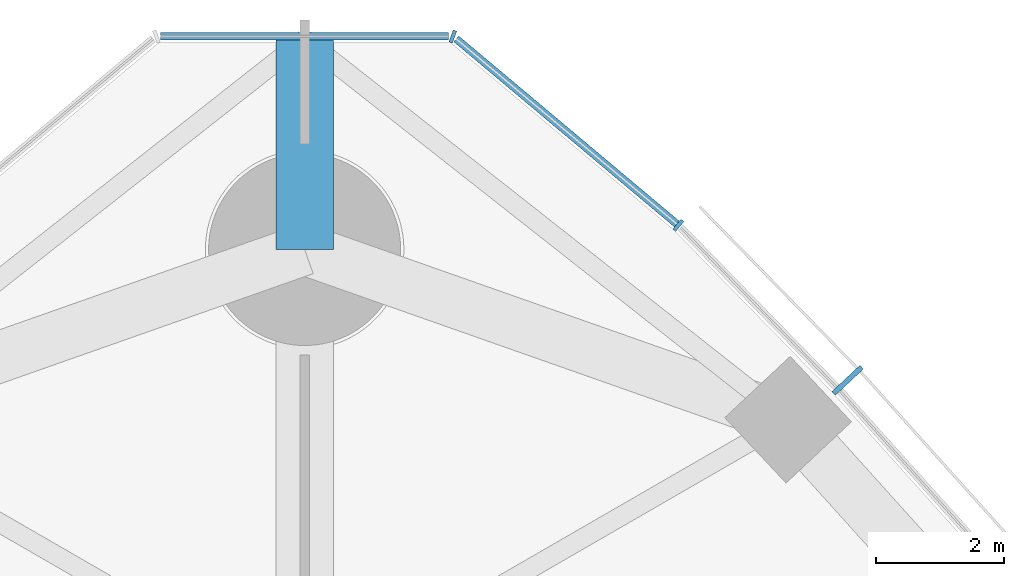
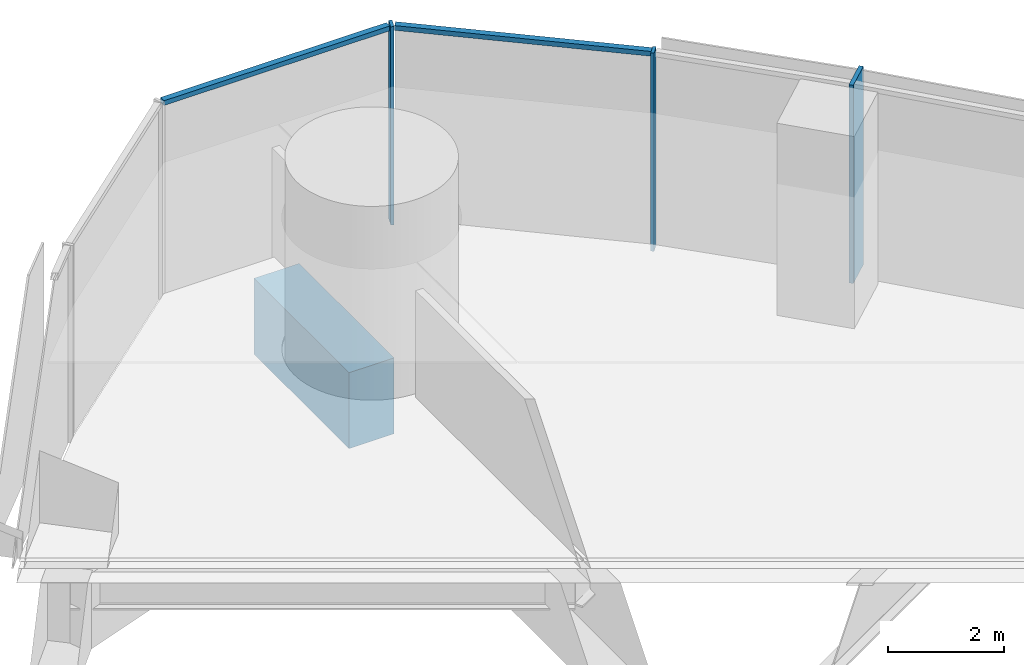
# One storey, part 8 of 19: 5 members, 1 beam, 2 elements without a shape of their own.
"""IFC4 building model written with IfcOpenShell, lengths in metres."""

from ifc_helpers import new_model, si_unit, direction, frame, origin, origin_2d, place, context, subcontext, project, spatial, rectangle, extrude, material, material_profile, profile_set, type_object, element, aggregate, save


model = new_model("IFC4")

# Units and contexts
model_context = context("Model", 3, precision=1e-05, world=origin(), true_north=direction((0.0, 1.0)))
body_context = subcontext(model_context, "Body", "Model", "MODEL_VIEW")
ifc_project = project(units=[si_unit("LENGTHUNIT", "METRE"), si_unit("AREAUNIT", "SQUARE_METRE"), si_unit("VOLUMEUNIT", "CUBIC_METRE"), si_unit("PLANEANGLEUNIT", "RADIAN"), si_unit("MASSUNIT", "GRAM", prefix="KILO")], contexts=[model_context])

# Site, building, storey
site_placement = place(None, origin())
site = spatial("IfcSite", under=ifc_project, at=site_placement, CompositionType="ELEMENT")
building_placement = place(site_placement, origin())
building = spatial("IfcBuilding", under=site, at=building_placement, Name="Trefoil Bronze Tower", CompositionType="ELEMENT")
storey_placement = place(building_placement, frame((0.0, 0.0, 244.300048828125)))
storey = spatial("IfcBuildingStorey", under=building, at=storey_placement, Name="L56", CompositionType="ELEMENT", Elevation=244.300048828125)

# Curtain wall, member
ifc_material_1 = material(Name="Tinted solar-control glass", Category="glass")
curtain_wall_type_1 = type_object("IfcCurtainWallType", Name="Bronze office curtain wall", PredefinedType="USERDEFINED", material=ifc_material_1)
curtain_wall_1_placement = place(storey_placement, origin())
curtain_wall_1 = element("IfcCurtainWall", 1, at=curtain_wall_1_placement, inside=storey, type_object=curtain_wall_type_1, Name="CW-A L56 F2", ObjectType="CURTAIN WALL", PredefinedType="USERDEFINED")
ifc_material_2 = material(Name="Bronze-finish aluminium", Category="aluminium")
ifc_material_profile_1 = material_profile(ifc_material_2, rectangle(XDim=0.60009765625, YDim=0.080078125, at=origin_2d()), Name="CW-A mullion")
ifc_profile_set_1 = profile_set([ifc_material_profile_1], Name="Bronze-finish aluminium")
member_type_1 = type_object("IfcMemberType", Name="Bronze office curtain wall mullion", PredefinedType="MULLION", material=ifc_profile_set_1)
member_1_placement = place(storey_placement, frame((8.482177734375, 30.95654296875, 0.0), z_axis=(0.0, 0.0, 1.0), x_axis=(-0.729859580661, -0.683597098091, 0.0)))
member_1 = element("IfcMember", 2, at=member_1_placement, type_object=member_type_1, Name="CW-A L56 F2 mullion 12", PredefinedType="MULLION", context=body_context, shape_type="SweptSolid", body=[
    extrude(rectangle(XDim=0.60009765625, YDim=0.080078125, at=origin_2d()), origin(), (0.0, 0.0, 1.0), 4.179931640625),
])
aggregate(curtain_wall_1, [member_1])

# Curtain wall, members
ifc_material_3 = material(Name="Tinted solar-control glass", Category="glass")
curtain_wall_type_2 = type_object("IfcCurtainWallType", Name="Bronze rounded corner curtain wall", PredefinedType="USERDEFINED", material=ifc_material_3)
curtain_wall_2_placement = place(storey_placement, origin())
curtain_wall_2 = element("IfcCurtainWall", 3, at=curtain_wall_2_placement, inside=storey, type_object=curtain_wall_type_2, Name="CW-B L56 K2", ObjectType="CURTAIN WALL", PredefinedType="USERDEFINED")
ifc_material_4 = material(Name="Bronze-finish aluminium", Category="aluminium")
ifc_material_profile_2 = material_profile(ifc_material_4, rectangle(XDim=0.199951171875, YDim=0.06005859375, at=origin_2d()), Name="CW-B mullion")
ifc_profile_set_2 = profile_set([ifc_material_profile_2], Name="Bronze-finish aluminium")
member_type_2 = type_object("IfcMemberType", Name="Bronze rounded corner curtain wall mullion", PredefinedType="MULLION", material=ifc_profile_set_2)
member_2_placement = place(storey_placement, frame((5.837890625, 33.3779296875, 0.0), z_axis=(0.0, 0.0, 1.0), x_axis=(-0.642787609687, -0.766044443119, 0.0)))
member_2 = element("IfcMember", 4, at=member_2_placement, type_object=member_type_2, Name="CW-B L56 K2 mullion 1", PredefinedType="MULLION", context=body_context, shape_type="SweptSolid", body=[
    extrude(rectangle(XDim=0.199951171875, YDim=0.06005859375, at=origin_2d()), origin(), (0.0, 0.0, 1.0), 4.179931640625),
])
member_3_placement = place(storey_placement, frame((2.314453125, 36.326416015625, 0.0), z_axis=(0.0, 0.0, 1.0), x_axis=(-0.342020143326, -0.939692620786, 0.0)))
member_3 = element("IfcMember", 5, at=member_3_placement, type_object=member_type_2, Name="CW-B L56 K2 mullion 2", PredefinedType="MULLION", context=body_context, shape_type="SweptSolid", body=[
    extrude(rectangle(XDim=0.199951171875, YDim=0.06005859375, at=origin_2d()), origin(), (0.0, 0.0, 1.0), 4.179931640625),
])
ifc_material_5 = material(Name="Bronze-finish aluminium", Category="aluminium")
ifc_material_profile_3 = material_profile(ifc_material_5, rectangle(XDim=0.1201171875, YDim=0.10009765625, at=origin_2d()), Name="CW-B transom")
ifc_profile_set_3 = profile_set([ifc_material_profile_3], Name="Bronze-finish aluminium")
member_type_3 = type_object("IfcMemberType", Name="Bronze rounded corner curtain wall transom", PredefinedType="USERDEFINED", material=ifc_profile_set_3)
member_4_placement = place(storey_placement, frame((5.814697265625, 33.397216796875, 4.1298828125), z_axis=(-0.766046761698, 0.642784846501, 0.0), x_axis=(-0.642784846501, -0.766046761698, 0.0)))
member_4 = element("IfcMember", 6, at=member_4_placement, type_object=member_type_3, Name="CW-B L56 K2 transom 1", ObjectType="TRANSOM", PredefinedType="USERDEFINED", context=body_context, shape_type="SweptSolid", body=[
    extrude(rectangle(XDim=0.1201171875, YDim=0.10009765625, at=origin_2d()), origin(), (0.0, 0.0, 1.0), 4.5),
])
member_5_placement = place(storey_placement, frame((2.250244140625, 36.33251953125, 4.1298828125), z_axis=(-1.0, 0.0, 0.0), x_axis=(0.0, -1.0, 0.0)))
member_5 = element("IfcMember", 7, at=member_5_placement, type_object=member_type_3, Name="CW-B L56 K2 transom 2", ObjectType="TRANSOM", PredefinedType="USERDEFINED", context=body_context, shape_type="SweptSolid", body=[
    extrude(rectangle(XDim=0.1201171875, YDim=0.10009765625, at=origin_2d()), origin(), (0.0, 0.0, 1.0), 4.50048828125),
])
aggregate(curtain_wall_2, [member_2, member_3, member_4, member_5])

# Beam
ifc_material_6 = material(Name="Concrete B80", Category="concrete")
ifc_material_profile_4 = material_profile(ifc_material_6, rectangle(XDim=0.89990234375, YDim=1.60009765625, at=origin_2d()), Name="RC 900x1600")
ifc_profile_set_4 = profile_set([ifc_material_profile_4], Name="Concrete B80")
beam_type = type_object("IfcBeamType", Name="Corner cantilever RC 900x1600", PredefinedType="BEAM", material=ifc_profile_set_4)
beam_placement = place(storey_placement, frame((0.0, 33.0, -1.0), z_axis=(0.0, 1.0, 0.0), x_axis=(-1.0, 0.0, 0.0)))
element("IfcBeam", 8, at=beam_placement, inside=storey, type_object=beam_type, Name="Corner cantilever K2 L56", PredefinedType="BEAM", context=body_context, shape_type="SweptSolid", body=[
    extrude(rectangle(XDim=0.89990234375, YDim=1.60009765625, at=origin_2d()), origin(), (0.0, 0.0, 1.0), 3.28466796875),
])

save(model, "model.ifc")
